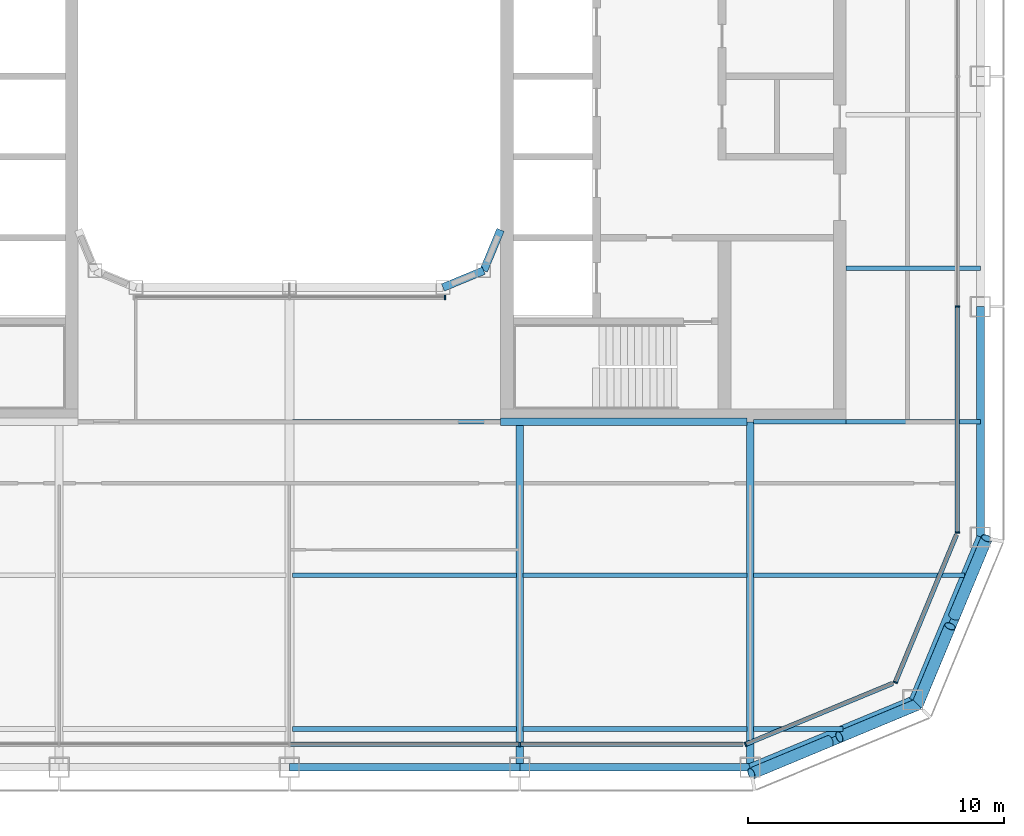
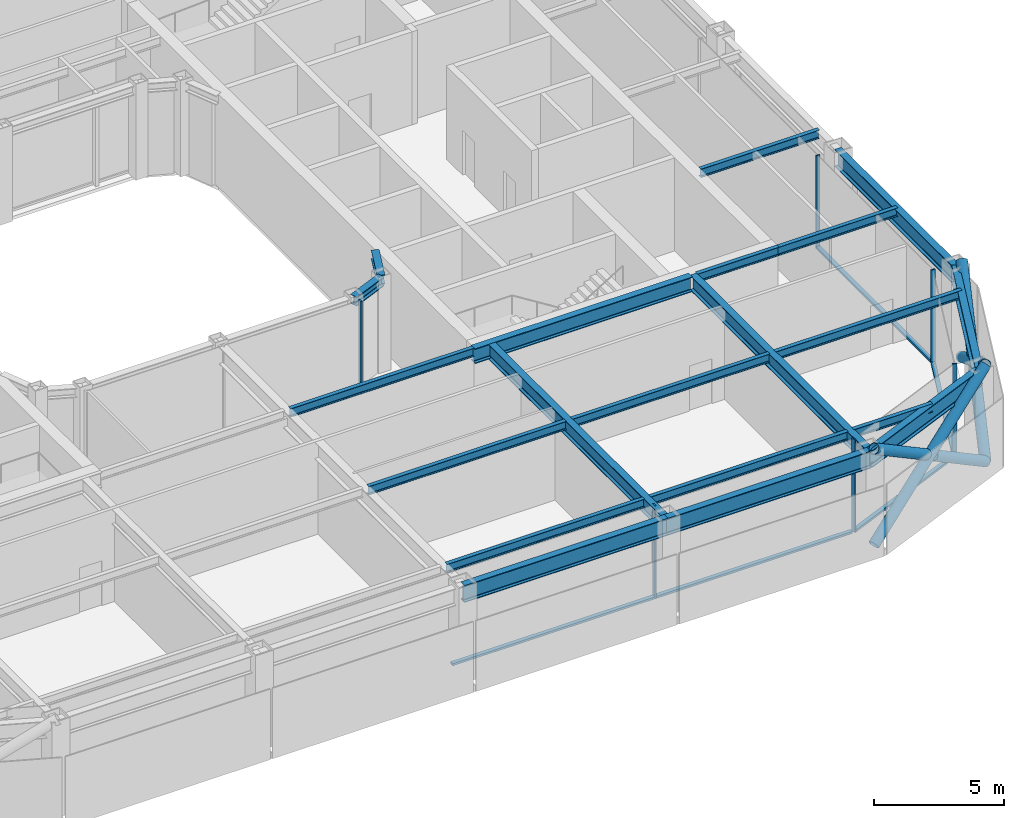
# One storey, part 4 of 19: 20 beams, 17 members, 5 elements without a shape of their own.
"""IFC4 building model written with IfcOpenShell, lengths in metres."""

from ifc_helpers import new_model, si_unit, direction, frame, origin, origin_2d, place, context, subcontext, project, spatial, rectangle, hollow_circle, i_section, extrude, material, layer, layer_set, material_profile, profile_set, type_object, element, aggregate, save


model = new_model("IFC4")

# Units and contexts
model_context = context("Model", 3, precision=1e-05, world=origin(), true_north=direction((0.0, 1.0)))
body_context = subcontext(model_context, "Body", "Model", "MODEL_VIEW")
ifc_project = project(units=[si_unit("LENGTHUNIT", "METRE"), si_unit("AREAUNIT", "SQUARE_METRE"), si_unit("VOLUMEUNIT", "CUBIC_METRE"), si_unit("PLANEANGLEUNIT", "RADIAN"), si_unit("MASSUNIT", "GRAM", prefix="KILO")], contexts=[model_context])

# Site, building, storey
site_placement = place(None, origin())
site = spatial("IfcSite", under=ifc_project, at=site_placement, CompositionType="ELEMENT")
building_placement = place(site_placement, origin())
building = spatial("IfcBuilding", under=site, at=building_placement, Name="Siwar Civic Tower", CompositionType="ELEMENT")
storey_placement = place(building_placement, frame((0.0, 0.0, 246.699951171875)))
storey = spatial("IfcBuildingStorey", under=building, at=storey_placement, Name="L53", CompositionType="ELEMENT", Elevation=246.699951171875)

# Curtain wall, member
ifc_material_1 = material(Name="Aluminium and glass", Category="aluminium")
ifc_layer_1 = layer(ifc_material_1, 0.179931640625)
ifc_layer_set_1 = layer_set([ifc_layer_1], Name="Aluminium and glass")
curtain_wall_type_1 = type_object("IfcCurtainWallType", Name="ENV-CW-C", PredefinedType="NOTDEFINED", material=ifc_layer_set_1)
curtain_wall_1_placement = place(storey_placement, origin())
curtain_wall_1 = element("IfcCurtainWall", 1, at=curtain_wall_1_placement, inside=storey, type_object=curtain_wall_type_1, Name="Curtain wall C S", PredefinedType="NOTDEFINED")
ifc_material_2 = material(Name="Aluminium 6063-T6", Category="aluminium")
ifc_material_profile_1 = material_profile(ifc_material_2, rectangle(XDim=0.179931640625, YDim=0.06005859375, at=origin_2d()), Name="AL 180x60")
ifc_profile_set_1 = profile_set([ifc_material_profile_1], Name="Aluminium 6063-T6")
member_type_1 = type_object("IfcMemberType", Name="ENV-MULLION-C", PredefinedType="MULLION", material=ifc_profile_set_1)
member_1_placement = place(storey_placement, frame((9.0, -26.10009765625, 0.0), z_axis=(0.0, 0.0, 1.0), x_axis=(0.0, 1.0, 0.0)))
member_1 = element("IfcMember", 2, at=member_1_placement, type_object=member_type_1, Name="Mullion C S 4", PredefinedType="MULLION", context=body_context, shape_type="SweptSolid", body=[
    extrude(rectangle(XDim=0.179931640625, YDim=0.06005859375, at=origin_2d()), origin(), (0.0, 0.0, 1.0), 4.35009765625),
])

ifc_material_3 = material(Name="Aluminium clad insulated panel", Category="aluminium")
ifc_layer_2 = layer(ifc_material_3, 0.179931640625)
ifc_layer_set_2 = layer_set([ifc_layer_2], Name="Aluminium clad insulated panel")
curtain_wall_type_2 = type_object("IfcCurtainWallType", Name="ENV-CW-CX", PredefinedType="NOTDEFINED", material=ifc_layer_set_2)
curtain_wall_2_placement = place(storey_placement, origin())
curtain_wall_2 = element("IfcCurtainWall", 3, at=curtain_wall_2_placement, inside=storey, type_object=curtain_wall_type_2, Name="Curtain wall C SE1", PredefinedType="NOTDEFINED")
member_2_placement = place(storey_placement, frame((17.821044921875, -26.10009765625, 0.0), z_axis=(0.0, 0.0, 1.0), x_axis=(-0.382683432365, 0.923879532511, 0.0)))
member_2 = element("IfcMember", 4, at=member_2_placement, type_object=member_type_1, Name="Mullion C SE1 1", PredefinedType="MULLION", context=body_context, shape_type="SweptSolid", body=[
    extrude(rectangle(XDim=0.179931640625, YDim=0.06005859375, at=origin_2d()), origin(), (0.0, 0.0, 1.0), 4.35009765625),
])

curtain_wall_3_placement = place(storey_placement, origin())
curtain_wall_3 = element("IfcCurtainWall", 5, at=curtain_wall_3_placement, inside=storey, type_object=curtain_wall_type_2, Name="Curtain wall C SE2", PredefinedType="NOTDEFINED")
member_3_placement = place(storey_placement, frame((23.675048828125, -23.675048828125, 0.0), z_axis=(0.0, 0.0, 1.0), x_axis=(-0.923879532511, 0.382683432365, 0.0)))
member_3 = element("IfcMember", 6, at=member_3_placement, type_object=member_type_1, Name="Mullion C SE2 1", PredefinedType="MULLION", context=body_context, shape_type="SweptSolid", body=[
    extrude(rectangle(XDim=0.179931640625, YDim=0.06005859375, at=origin_2d()), origin(), (0.0, 0.0, 1.0), 4.35009765625),
])

# Curtain wall, members
curtain_wall_4_placement = place(storey_placement, origin())
curtain_wall_4 = element("IfcCurtainWall", 7, at=curtain_wall_4_placement, inside=storey, type_object=curtain_wall_type_1, Name="Curtain wall C E", PredefinedType="NOTDEFINED")
member_4_placement = place(storey_placement, frame((26.10009765625, -17.821044921875, 0.0), z_axis=(0.0, 0.0, 1.0), x_axis=(-1.0, 0.0, 0.0)))
member_4 = element("IfcMember", 8, at=member_4_placement, type_object=member_type_1, Name="Mullion C E 1", PredefinedType="MULLION", context=body_context, shape_type="SweptSolid", body=[
    extrude(rectangle(XDim=0.179931640625, YDim=0.06005859375, at=origin_2d()), origin(), (0.0, 0.0, 1.0), 4.35009765625),
])
member_5_placement = place(storey_placement, frame((26.10009765625, -9.0, 0.0), z_axis=(0.0, 0.0, 1.0), x_axis=(-1.0, 0.0, 0.0)))
member_5 = element("IfcMember", 9, at=member_5_placement, type_object=member_type_1, Name="Mullion C E 2", PredefinedType="MULLION", context=body_context, shape_type="SweptSolid", body=[
    extrude(rectangle(XDim=0.179931640625, YDim=0.06005859375, at=origin_2d()), origin(), (0.0, 0.0, 1.0), 4.35009765625),
])

# Curtain wall, member
ifc_material_4 = material(Name="Aluminium and glass", Category="aluminium")
ifc_layer_3 = layer(ifc_material_4, 0.179931640625)
ifc_layer_set_3 = layer_set([ifc_layer_3], Name="Aluminium and glass")
curtain_wall_type_3 = type_object("IfcCurtainWallType", Name="ENV-CW-W", PredefinedType="NOTDEFINED", material=ifc_layer_set_3)
curtain_wall_5_placement = place(storey_placement, origin())
curtain_wall_5 = element("IfcCurtainWall", 10, at=curtain_wall_5_placement, inside=storey, type_object=curtain_wall_type_3, Name="Curtain wall W WS", PredefinedType="NOTDEFINED")
ifc_material_5 = material(Name="Aluminium 6063-T6", Category="aluminium")
ifc_material_profile_2 = material_profile(ifc_material_5, rectangle(XDim=0.179931640625, YDim=0.06005859375, at=origin_2d()), Name="AL 180x60")
ifc_profile_set_2 = profile_set([ifc_material_profile_2], Name="Aluminium 6063-T6")
member_type_2 = type_object("IfcMemberType", Name="ENV-MULLION-W", PredefinedType="MULLION", material=ifc_profile_set_2)
member_6_placement = place(storey_placement, frame((6.07666015625, -8.635009765625, 0.0), z_axis=(0.0, 0.0, 1.0), x_axis=(0.0, 1.0, 0.0)))
member_6 = element("IfcMember", 11, at=member_6_placement, type_object=member_type_2, Name="Mullion W WS 3", PredefinedType="MULLION", context=body_context, shape_type="SweptSolid", body=[
    extrude(rectangle(XDim=0.179931640625, YDim=0.06005859375, at=origin_2d()), origin(), (0.0, 0.0, 1.0), 4.35009765625),
])
aggregate(curtain_wall_5, [member_6])

# Member
ifc_material_6 = material(Name="Aluminium 6063-T6", Category="aluminium")
ifc_material_profile_3 = material_profile(ifc_material_6, rectangle(XDim=0.179931640625, YDim=0.10009765625, at=origin_2d()), Name="AL 180x100")
ifc_profile_set_3 = profile_set([ifc_material_profile_3], Name="Aluminium 6063-T6")
member_type_3 = type_object("IfcMemberType", Name="ENV-TRANSOM-C", PredefinedType="USERDEFINED", material=ifc_profile_set_3)
member_7_placement = place(storey_placement, frame((0.030029296875, -26.10009765625, 0.050048828125), z_axis=(1.0, 0.0, 0.0), x_axis=(0.0, 1.0, 0.0)))
member_7 = element("IfcMember", 12, at=member_7_placement, type_object=member_type_3, Name="Transom C S 3", ObjectType="TRANSOM", PredefinedType="USERDEFINED", context=body_context, shape_type="SweptSolid", body=[
    extrude(rectangle(XDim=0.179931640625, YDim=0.10009765625, at=origin_2d()), origin(), (0.0, 0.0, 1.0), 8.93994140625),
])

member_8_placement = place(storey_placement, frame((9.030029296875, -26.10009765625, 0.050048828125), z_axis=(1.0, 0.0, 0.0), x_axis=(0.0, 1.0, 0.0)))
member_8 = element("IfcMember", 13, at=member_8_placement, type_object=member_type_3, Name="Transom C S 4", ObjectType="TRANSOM", PredefinedType="USERDEFINED", context=body_context, shape_type="SweptSolid", body=[
    extrude(rectangle(XDim=0.179931640625, YDim=0.10009765625, at=origin_2d()), origin(), (0.0, 0.0, 1.0), 8.68603515625),
])

aggregate(curtain_wall_1, [member_1, member_7, member_8])

member_9_placement = place(storey_placement, frame((17.8486328125, -26.088623046875, 0.050048828125), z_axis=(0.923882011223, 0.38267744817, 0.0), x_axis=(-0.38267744817, 0.923882011223, 0.0)))
member_9 = element("IfcMember", 14, at=member_9_placement, type_object=member_type_3, Name="Transom C SE1 1", ObjectType="TRANSOM", PredefinedType="USERDEFINED", context=body_context, shape_type="SweptSolid", body=[
    extrude(rectangle(XDim=0.179931640625, YDim=0.10009765625, at=origin_2d()), origin(), (0.0, 0.0, 1.0), 6.201904296875),
])

aggregate(curtain_wall_2, [member_2, member_9])

member_10_placement = place(storey_placement, frame((23.6865234375, -23.6474609375, 0.050048828125), z_axis=(0.382691366456, 0.923876246063, 0.0), x_axis=(-0.923876246063, 0.382691366456, 0.0)))
member_10 = element("IfcMember", 15, at=member_10_placement, type_object=member_type_3, Name="Transom C SE2 1", ObjectType="TRANSOM", PredefinedType="USERDEFINED", context=body_context, shape_type="SweptSolid", body=[
    extrude(rectangle(XDim=0.179931640625, YDim=0.10009765625, at=origin_2d()), origin(), (0.0, 0.0, 1.0), 6.20166015625),
])

aggregate(curtain_wall_3, [member_3, member_10])

member_11_placement = place(storey_placement, frame((26.10009765625, -17.791015625, 0.050048828125), z_axis=(0.0, 1.0, 0.0), x_axis=(-1.0, 0.0, 0.0)))
member_11 = element("IfcMember", 16, at=member_11_placement, type_object=member_type_3, Name="Transom C E 1", ObjectType="TRANSOM", PredefinedType="USERDEFINED", context=body_context, shape_type="SweptSolid", body=[
    extrude(rectangle(XDim=0.179931640625, YDim=0.10009765625, at=origin_2d()), origin(), (0.0, 0.0, 1.0), 8.760986328125),
])

aggregate(curtain_wall_4, [member_4, member_5, member_11])

# Members
ifc_material_7 = material(Name="Steel S355", Category="steel")
ifc_material_profile_4 = material_profile(ifc_material_7, hollow_circle(Radius=0.228515625, WallThickness=0.02001953125, at=origin_2d()), Name="CHS457x20")
ifc_profile_set_4 = profile_set([ifc_material_profile_4], Name="Steel S355")
member_type_4 = type_object("IfcMemberType", Name="STR-BR-CHS457x20", PredefinedType="BRACE", material=ifc_profile_set_4)
member_12_placement = place(storey_placement, frame((27.2451171875, -18.048828125, 0.0), z_axis=(-0.323905527954, -0.777554562952, 0.538975055633), x_axis=(0.923108759191, -0.384538969033, 0.0)))
element("IfcMember", 17, at=member_12_placement, inside=storey, type_object=member_type_4, Name="L53/brc/CSE1-13-0-1", PredefinedType="BRACE", context=body_context, shape_type="SweptSolid", body=[
    extrude(hollow_circle(Radius=0.228515625, WallThickness=0.02001953125, at=origin_2d()), origin(), (0.0, 0.0, 1.0), 8.34912109375),
])
for number, where, z_axis, x_axis, name in (
    (18, (24.540771484375, -24.540771484375, 0.0), (0.323884455881, 0.777546448489, 0.538999424564), (-0.92311621485, 0.38452107079, 0.0), "L53/brc/CSE1-13-0-2"),
    (19, (25.972900390625, -21.10302734375, 2.383056640625), (0.323895306243, 0.777572496853, 0.538955325357), (-0.92311621485, 0.38452107079, 0.0), "L53/brc/CSE1-13-0-3"),
):
    element("IfcMember", number, at=place(storey_placement, frame(where, z_axis=z_axis, x_axis=x_axis)), inside=storey, type_object=member_type_4, Name=name, PredefinedType="BRACE", context=body_context, shape_type="SweptSolid", body=[
        extrude(hollow_circle(Radius=0.228515625, WallThickness=0.02001953125, at=origin_2d()), origin(), (0.0, 0.0, 1.0), 3.927978515625),
    ])
member_13_placement = place(storey_placement, frame((18.048828125, -27.2451171875, 0.0), z_axis=(0.777554562952, 0.323905527954, 0.538975055633), x_axis=(-0.384538969033, 0.923108759191, 0.0)))
element("IfcMember", 20, at=member_13_placement, inside=storey, type_object=member_type_4, Name="L53/brc/CSE1-13-0-0", PredefinedType="BRACE", context=body_context, shape_type="SweptSolid", body=[
    extrude(hollow_circle(Radius=0.228515625, WallThickness=0.02001953125, at=origin_2d()), origin(), (0.0, 0.0, 1.0), 8.34912109375),
])
for number, where, z_axis, x_axis, name in (
    (21, (24.540771484375, -24.540771484375, 0.0), (-0.777546448489, -0.323884455881, 0.538999424564), (0.38452107079, -0.92311621485, 0.0), "L53/brc/CSE1-13-0-4"),
    (22, (21.10302734375, -25.972900390625, 2.383056640625), (-0.777572496853, -0.323895306243, 0.538955325357), (0.38452107079, -0.92311621485, 0.0), "L53/brc/CSE1-13-0-5"),
):
    element("IfcMember", number, at=place(storey_placement, frame(where, z_axis=z_axis, x_axis=x_axis)), inside=storey, type_object=member_type_4, Name=name, PredefinedType="BRACE", context=body_context, shape_type="SweptSolid", body=[
        extrude(hollow_circle(Radius=0.228515625, WallThickness=0.02001953125, at=origin_2d()), origin(), (0.0, 0.0, 1.0), 3.927978515625),
    ])

# Beams
ifc_material_8 = material(Name="Steel S355", Category="steel")
ifc_material_profile_5 = material_profile(ifc_material_8, i_section(OverallWidth=0.179931640625, OverallDepth=0.39990234375, WebThickness=0.008544921875, FlangeThickness=0.013427734375, FilletRadius=0.02099609375, at=origin_2d()), Name="IPE400")
ifc_profile_set_5 = profile_set([ifc_material_profile_5], Name="Steel S355")
beam_type_1 = type_object("IfcBeamType", Name="STR-FB-IPE400", PredefinedType="JOIST", material=ifc_profile_set_5)
for number, where, z_axis, x_axis, name in (
    (23, (0.1298828125, -25.5, 4.150146484375), (1.0, 0.0, 0.0), (0.0, 1.0, 0.0), "L53/bm/F004"),
    (24, (9.1298828125, -25.5, 4.150146484375), (1.0, 0.0, 0.0), (0.0, 1.0, 0.0), "L53/bm/F005"),
):
    element("IfcBeam", number, at=place(storey_placement, frame(where, z_axis=z_axis, x_axis=x_axis)), inside=storey, type_object=beam_type_1, Name=name, PredefinedType="JOIST", context=body_context, shape_type="SweptSolid", body=[
        extrude(i_section(OverallWidth=0.179931640625, OverallDepth=0.39990234375, WebThickness=0.008544921875, FlangeThickness=0.013427734375, FilletRadius=0.02099609375, at=origin_2d()), origin(), (0.0, 0.0, 1.0), 8.740234375),
    ])
beam_1_placement = place(storey_placement, frame((18.1298828125, -25.5, 4.150146484375), z_axis=(1.0, 0.0, 0.0), x_axis=(0.0, 1.0, 0.0)))
element("IfcBeam", 25, at=beam_1_placement, inside=storey, type_object=beam_type_1, Name="L53/bm/F006", PredefinedType="JOIST", context=body_context, shape_type="SweptSolid", body=[
    extrude(i_section(OverallWidth=0.179931640625, OverallDepth=0.39990234375, WebThickness=0.008544921875, FlangeThickness=0.013427734375, FilletRadius=0.02099609375, at=origin_2d()), origin(), (0.0, 0.0, 1.0), 3.491455078125),
])
for number, where, z_axis, x_axis, name in (
    (26, (0.1298828125, -19.5, 4.150146484375), (1.0, 0.0, 0.0), (0.0, 1.0, 0.0), "L53/bm/F010"),
    (27, (9.1298828125, -19.5, 4.150146484375), (1.0, 0.0, 0.0), (0.0, 1.0, 0.0), "L53/bm/F011"),
):
    element("IfcBeam", number, at=place(storey_placement, frame(where, z_axis=z_axis, x_axis=x_axis)), inside=storey, type_object=beam_type_1, Name=name, PredefinedType="JOIST", context=body_context, shape_type="SweptSolid", body=[
        extrude(i_section(OverallWidth=0.179931640625, OverallDepth=0.39990234375, WebThickness=0.008544921875, FlangeThickness=0.013427734375, FilletRadius=0.02099609375, at=origin_2d()), origin(), (0.0, 0.0, 1.0), 8.740234375),
    ])
beam_2_placement = place(storey_placement, frame((18.1298828125, -19.5, 4.150146484375), z_axis=(1.0, 0.0, 0.0), x_axis=(0.0, 1.0, 0.0)))
element("IfcBeam", 28, at=beam_2_placement, inside=storey, type_object=beam_type_1, Name="L53/bm/F012", PredefinedType="JOIST", context=body_context, shape_type="SweptSolid", body=[
    extrude(i_section(OverallWidth=0.179931640625, OverallDepth=0.39990234375, WebThickness=0.008544921875, FlangeThickness=0.013427734375, FilletRadius=0.02099609375, at=origin_2d()), origin(), (0.0, 0.0, 1.0), 8.248779296875),
])
beam_3_placement = place(storey_placement, frame((0.1298828125, -13.5, 4.150146484375), z_axis=(1.0, 0.0, 0.0), x_axis=(0.0, 1.0, 0.0)))
element("IfcBeam", 29, at=beam_3_placement, inside=storey, type_object=beam_type_1, Name="L53/bm/F017", PredefinedType="JOIST", context=body_context, shape_type="SweptSolid", body=[
    extrude(i_section(OverallWidth=0.179931640625, OverallDepth=0.39990234375, WebThickness=0.008544921875, FlangeThickness=0.013427734375, FilletRadius=0.02099609375, at=origin_2d()), origin(), (0.0, 0.0, 1.0), 8.1201171875),
])
beam_4_placement = place(storey_placement, frame((18.1298828125, -13.5, 4.150146484375), z_axis=(1.0, 0.0, 0.0), x_axis=(0.0, 1.0, 0.0)))
element("IfcBeam", 30, at=beam_4_placement, inside=storey, type_object=beam_type_1, Name="L53/bm/F019", PredefinedType="JOIST", context=body_context, shape_type="SweptSolid", body=[
    extrude(i_section(OverallWidth=0.179931640625, OverallDepth=0.39990234375, WebThickness=0.008544921875, FlangeThickness=0.013427734375, FilletRadius=0.02099609375, at=origin_2d()), origin(), (0.0, 0.0, 1.0), 3.6201171875),
])
for number, where, z_axis, x_axis, name in (
    (31, (21.75, -13.5, 4.150146484375), (1.0, 0.0, 0.0), (0.0, 1.0, 0.0), "L53/bm/F020"),
    (32, (21.75, -7.5, 4.150146484375), (1.0, 0.0, 0.0), (0.0, 1.0, 0.0), "L53/bm/F022"),
):
    element("IfcBeam", number, at=place(storey_placement, frame(where, z_axis=z_axis, x_axis=x_axis)), inside=storey, type_object=beam_type_1, Name=name, PredefinedType="JOIST", context=body_context, shape_type="SweptSolid", body=[
        extrude(i_section(OverallWidth=0.179931640625, OverallDepth=0.39990234375, WebThickness=0.008544921875, FlangeThickness=0.013427734375, FilletRadius=0.02099609375, at=origin_2d()), origin(), (0.0, 0.0, 1.0), 5.25),
    ])
ifc_material_9 = material(Name="Steel S355", Category="steel")
ifc_material_profile_6 = material_profile(ifc_material_9, i_section(OverallWidth=0.300048828125, OverallDepth=0.699951171875, WebThickness=0.01708984375, FlangeThickness=0.031982421875, FilletRadius=0.027099609375, at=origin_2d()), Name="HEB700")
ifc_profile_set_6 = profile_set([ifc_material_profile_6], Name="Steel S355")
beam_type_2 = type_object("IfcBeamType", Name="STR-PG-HEB700", PredefinedType="BEAM", material=ifc_profile_set_6)
for number, where, z_axis, x_axis, name in (
    (33, (9.0, -27.0, 4.0), (0.0, 1.0, 0.0), (-1.0, 0.0, 0.0), "L53/bm/G07"),
    (34, (18.0, -27.0, 4.0), (0.0, 1.0, 0.0), (-1.0, 0.0, 0.0), "L53/bm/G09"),
):
    element("IfcBeam", number, at=place(storey_placement, frame(where, z_axis=z_axis, x_axis=x_axis)), inside=storey, type_object=beam_type_2, Name=name, PredefinedType="BEAM", context=body_context, shape_type="SweptSolid", body=[
        extrude(i_section(OverallWidth=0.300048828125, OverallDepth=0.699951171875, WebThickness=0.01708984375, FlangeThickness=0.031982421875, FilletRadius=0.027099609375, at=origin_2d()), origin(), (0.0, 0.0, 1.0), 13.5),
    ])
beam_5_placement = place(storey_placement, frame((8.25, -13.5, 4.0), z_axis=(1.0, 0.0, 0.0), x_axis=(0.0, 1.0, 0.0)))
element("IfcBeam", 35, at=beam_5_placement, inside=storey, type_object=beam_type_2, Name="L53/bm/F018", PredefinedType="BEAM", context=body_context, shape_type="SweptSolid", body=[
    extrude(i_section(OverallWidth=0.300048828125, OverallDepth=0.699951171875, WebThickness=0.01708984375, FlangeThickness=0.031982421875, FilletRadius=0.027099609375, at=origin_2d()), origin(), (0.0, 0.0, 1.0), 9.6201171875),
])
ifc_material_10 = material(Name="Steel S355", Category="steel")
ifc_material_profile_7 = material_profile(ifc_material_10, i_section(OverallWidth=0.306884765625, OverallDepth=0.431884765625, WebThickness=0.02099609375, FlangeThickness=0.0400390625, FilletRadius=0.027099609375, at=origin_2d()), Name="HEM400")
ifc_profile_set_7 = profile_set([ifc_material_profile_7], Name="Steel S355")
beam_type_3 = type_object("IfcBeamType", Name="STR-RB-HEM400", PredefinedType="BEAM", material=ifc_profile_set_7)
for number, where, z_axis, x_axis, name in (
    (36, (6.0, -8.25, 4.134033203125), (0.923901072997, 0.382631424892, 0.0), (-0.382631424892, 0.923901072997, 0.0), "L53/bm/RS3"),
    (37, (7.591064453125, -7.591064453125, 4.134033203125), (0.382631424892, 0.923901072997, 0.0), (-0.923901072997, 0.382631424892, 0.0), "L53/bm/RSEE"),
):
    element("IfcBeam", number, at=place(storey_placement, frame(where, z_axis=z_axis, x_axis=x_axis)), inside=storey, type_object=beam_type_3, Name=name, PredefinedType="BEAM", context=body_context, shape_type="SweptSolid", body=[
        extrude(i_section(OverallWidth=0.306884765625, OverallDepth=0.431884765625, WebThickness=0.02099609375, FlangeThickness=0.0400390625, FilletRadius=0.027099609375, at=origin_2d()), origin(), (0.0, 0.0, 1.0), 1.72216796875),
    ])
ifc_material_11 = material(Name="Steel S355", Category="steel")
ifc_material_profile_8 = material_profile(ifc_material_11, i_section(OverallWidth=0.300048828125, OverallDepth=0.800048828125, WebThickness=0.017578125, FlangeThickness=0.032958984375, FilletRadius=0.030029296875, at=origin_2d()), Name="HEB800")
ifc_profile_set_8 = profile_set([ifc_material_profile_8], Name="Steel S355")
beam_type_4 = type_object("IfcBeamType", Name="STR-SB-HEB800", PredefinedType="BEAM", material=ifc_profile_set_8)
for number, where, z_axis, x_axis, name in (
    (38, (0.0, -27.0, 3.949951171875), (1.0, 0.0, 0.0), (0.0, 1.0, 0.0), "L53/bm/SS-2"),
    (39, (9.0, -27.0, 3.949951171875), (1.0, 0.0, 0.0), (0.0, 1.0, 0.0), "L53/bm/SS-3"),
):
    element("IfcBeam", number, at=place(storey_placement, frame(where, z_axis=z_axis, x_axis=x_axis)), inside=storey, type_object=beam_type_4, Name=name, PredefinedType="BEAM", context=body_context, shape_type="SweptSolid", body=[
        extrude(i_section(OverallWidth=0.300048828125, OverallDepth=0.800048828125, WebThickness=0.017578125, FlangeThickness=0.032958984375, FilletRadius=0.030029296875, at=origin_2d()), origin(), (0.0, 0.0, 1.0), 9.0),
    ])
for number, where, z_axis, x_axis, name in (
    (40, (18.0, -27.0, 3.949951171875), (0.923883353507, 0.382674207535, 0.0), (-0.382674207535, 0.923883353507, 0.0), "L53/bm/SSE1-0"),
    (41, (24.364013671875, -24.364013671875, 3.949951171875), (0.382674207535, 0.923883353507, 0.0), (-0.923883353507, 0.382674207535, 0.0), "L53/bm/SSE2-0"),
):
    element("IfcBeam", number, at=place(storey_placement, frame(where, z_axis=z_axis, x_axis=x_axis)), inside=storey, type_object=beam_type_4, Name=name, PredefinedType="BEAM", context=body_context, shape_type="SweptSolid", body=[
        extrude(i_section(OverallWidth=0.300048828125, OverallDepth=0.800048828125, WebThickness=0.017578125, FlangeThickness=0.032958984375, FilletRadius=0.030029296875, at=origin_2d()), origin(), (0.0, 0.0, 1.0), 6.888427734375),
    ])
beam_6_placement = place(storey_placement, frame((27.0, -18.0, 3.949951171875), z_axis=(0.0, 1.0, 0.0), x_axis=(-1.0, 0.0, 0.0)))
element("IfcBeam", 42, at=beam_6_placement, inside=storey, type_object=beam_type_4, Name="L53/bm/SE-0", PredefinedType="BEAM", context=body_context, shape_type="SweptSolid", body=[
    extrude(i_section(OverallWidth=0.300048828125, OverallDepth=0.800048828125, WebThickness=0.017578125, FlangeThickness=0.032958984375, FilletRadius=0.030029296875, at=origin_2d()), origin(), (0.0, 0.0, 1.0), 9.0),
])

save(model, "model.ifc")
